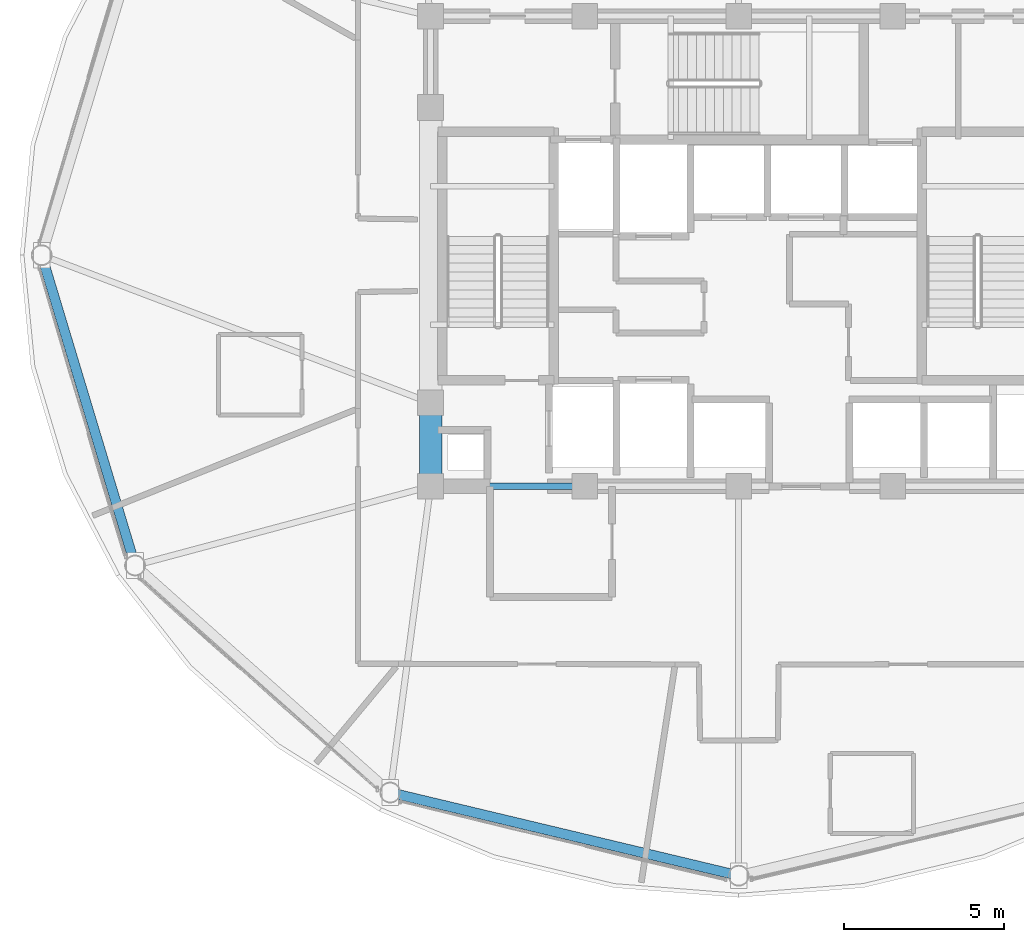
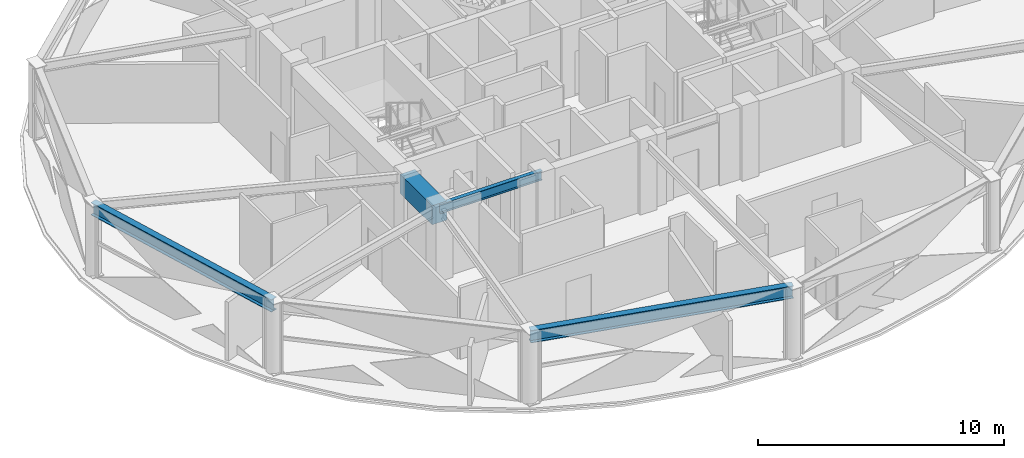
# One storey, part 4 of 28: 4 beams.
"""IFC4 building model written with IfcOpenShell, lengths in metres."""

from ifc_helpers import new_model, si_unit, direction, frame, origin, origin_2d, place, context, subcontext, project, spatial, rectangle, i_section, extrude, material, material_profile, profile_set, type_object, element, save


model = new_model("IFC4")

# Units and contexts
model_context = context("Model", 3, precision=1e-05, world=origin(), true_north=direction((0.0, 1.0)))
body_context = subcontext(model_context, "Body", "Model", "MODEL_VIEW")
ifc_project = project(units=[si_unit("LENGTHUNIT", "METRE"), si_unit("AREAUNIT", "SQUARE_METRE"), si_unit("VOLUMEUNIT", "CUBIC_METRE"), si_unit("PLANEANGLEUNIT", "RADIAN"), si_unit("MASSUNIT", "GRAM", prefix="KILO")], contexts=[model_context])

# Site, building, storey
site_placement = place(None, origin())
site = spatial("IfcSite", under=ifc_project, at=site_placement, CompositionType="ELEMENT")
building_placement = place(site_placement, origin())
building = spatial("IfcBuilding", under=site, at=building_placement, Name="Vantalir Tower", CompositionType="ELEMENT")
storey_placement = place(building_placement, frame((0.0, 0.0, 246.14990234375)))
storey = spatial("IfcBuildingStorey", under=building, at=storey_placement, Name="L62", CompositionType="ELEMENT", Elevation=246.14990234375)

# Beams
ifc_material_1 = material(Name="Concrete C60/75", Category="concrete")
ifc_material_profile_1 = material_profile(ifc_material_1, rectangle(XDim=0.699951171875, YDim=0.949951171875, at=origin_2d()), Name="Concrete C60/75")
ifc_profile_set_1 = profile_set([ifc_material_profile_1], Name="Concrete C60/75")
beam_type_1 = type_object("IfcBeamType", Name="BM-CB-700x950", PredefinedType="USERDEFINED", material=ifc_profile_set_1)
beam_1_placement = place(storey_placement, frame((21.89990234375, 20.39990234375, 3.09521484375), z_axis=(0.0, -1.0, 0.0), x_axis=(1.0, 0.0, 0.0)))
element("IfcBeam", 1, at=beam_1_placement, inside=storey, type_object=beam_type_1, Name="L62 Core Coupling Girder 14", ObjectType="GIRDER", PredefinedType="USERDEFINED", context=body_context, shape_type="SweptSolid", body=[
    extrude(rectangle(XDim=0.699951171875, YDim=0.949951171875, at=origin_2d()), origin(), (0.0, 0.0, 1.0), 2.599853515625),
])
ifc_material_2 = material(Name="Steel S355", Category="steel")
ifc_material_profile_2 = material_profile(ifc_material_2, i_section(OverallWidth=0.19189453125, OverallDepth=0.462890625, WebThickness=0.010498046875, FlangeThickness=0.017578125, at=origin_2d()), Name="Steel S355")
ifc_profile_set_2 = profile_set([ifc_material_profile_2], Name="Steel S355")
beam_type_2 = type_object("IfcBeamType", Name="BM-RB-457x191", PredefinedType="BEAM", material=ifc_profile_set_2)
beam_2_placement = place(storey_placement, frame((21.89990234375, 17.800048828125, 3.338134765625), z_axis=(1.0, 0.0, 0.0), x_axis=(0.0, 1.0, 0.0)))
element("IfcBeam", 2, at=beam_2_placement, inside=storey, type_object=beam_type_2, Name="L62 Core Coupling Girder 01", PredefinedType="BEAM", context=body_context, shape_type="SweptSolid", body=[
    extrude(i_section(OverallWidth=0.19189453125, OverallDepth=0.462890625, WebThickness=0.010498046875, FlangeThickness=0.017578125, at=origin_2d()), origin(), (0.0, 0.0, 1.0), 4.800048828125),
])
ifc_material_3 = material(Name="Steel S460", Category="steel")
ifc_material_profile_3 = material_profile(ifc_material_3, i_section(OverallWidth=0.306884765625, OverallDepth=0.6201171875, WebThickness=0.01416015625, FlangeThickness=0.023681640625, at=origin_2d()), Name="Steel S460")
ifc_profile_set_3 = profile_set([ifc_material_profile_3], Name="Steel S460")
beam_type_3 = type_object("IfcBeamType", Name="BM-RG-610x305", PredefinedType="USERDEFINED", material=ifc_profile_set_3)
beam_3_placement = place(storey_placement, frame((9.781982421875, 25.0, 3.260009765625), z_axis=(0.288239655449, -0.957558301633, 0.0), x_axis=(0.957558301633, 0.288239655449, 0.0)))
element("IfcBeam", 3, at=beam_3_placement, inside=storey, type_object=beam_type_3, Name="L62 Circumferential Ring Girder 07", ObjectType="GIRDER", PredefinedType="USERDEFINED", context=body_context, shape_type="SweptSolid", body=[
    extrude(i_section(OverallWidth=0.306884765625, OverallDepth=0.6201171875, WebThickness=0.01416015625, FlangeThickness=0.023681640625, at=origin_2d()), origin(), (0.0, 0.0, 1.0), 10.095458984375),
])
beam_4_placement = place(storey_placement, frame((20.64111328125, 8.257080078125, 3.260009765625), z_axis=(0.97271250926, -0.23201373737, 0.0), x_axis=(0.23201373737, 0.97271250926, 0.0)))
element("IfcBeam", 4, at=beam_4_placement, inside=storey, type_object=beam_type_3, Name="L62 Circumferential Ring Girder 09", ObjectType="GIRDER", PredefinedType="USERDEFINED", context=body_context, shape_type="SweptSolid", body=[
    extrude(i_section(OverallWidth=0.306884765625, OverallDepth=0.6201171875, WebThickness=0.01416015625, FlangeThickness=0.023681640625, at=origin_2d()), origin(), (0.0, 0.0, 1.0), 11.16357421875),
])

save(model, "model.ifc")
